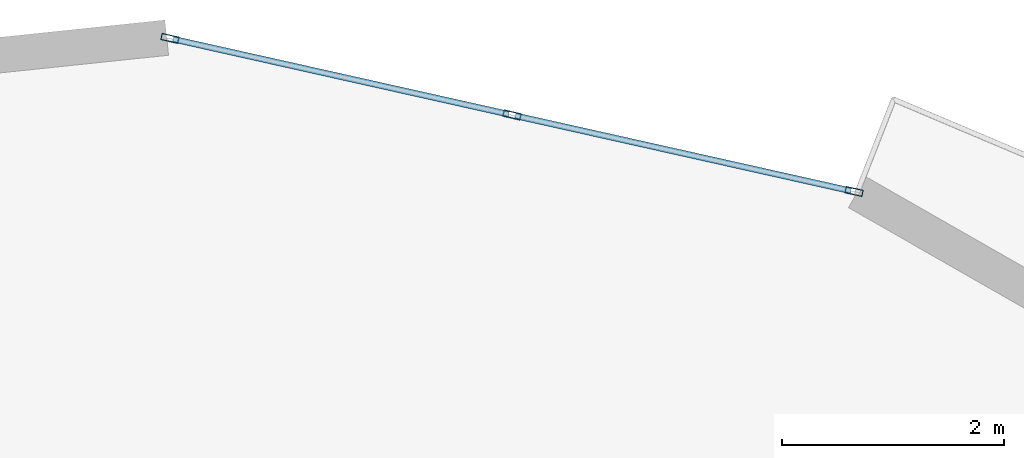
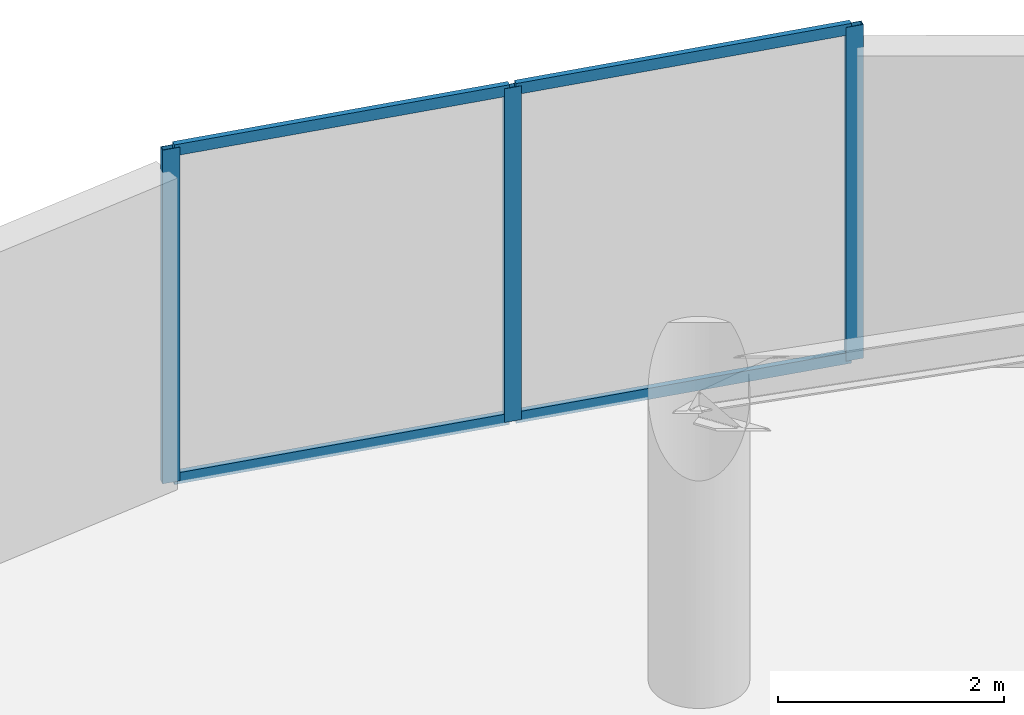
# One storey, part 16 of 23: 7 members, 1 element without a shape of its own.
"""IFC4 building model written with IfcOpenShell, lengths in metres."""

from ifc_helpers import new_model, si_unit, direction, frame, origin, origin_2d, place, context, subcontext, project, spatial, hollow_rectangle, extrude, source, transform, mapped, material, layer, layer_set, material_profile, profile_set, type_object, element, aggregate, save


model = new_model("IFC4")

# Units and contexts
model_context = context("Model", 3, precision=1e-05, world=origin(), true_north=direction((0.0, 1.0)))
body_context = subcontext(model_context, "Body", "Model", "MODEL_VIEW")
ifc_project = project(units=[si_unit("LENGTHUNIT", "METRE"), si_unit("AREAUNIT", "SQUARE_METRE"), si_unit("VOLUMEUNIT", "CUBIC_METRE"), si_unit("PLANEANGLEUNIT", "RADIAN"), si_unit("MASSUNIT", "GRAM", prefix="KILO")], contexts=[model_context])

# Site, building, storey
site_placement = place(None, origin())
site = spatial("IfcSite", under=ifc_project, at=site_placement, CompositionType="ELEMENT")
building_placement = place(site_placement, origin())
building = spatial("IfcBuilding", under=site, at=building_placement, Name="Solvirekh Grand Hotel", CompositionType="ELEMENT")
storey_placement = place(building_placement, frame((0.0, 0.0, 173.199951171875)))
storey = spatial("IfcBuildingStorey", under=building, at=storey_placement, Name="L44", CompositionType="ELEMENT", Elevation=173.199951171875)

# Curtain wall, members
ifc_material = material(Name="Anodized Bronze Aluminium 6063-T6", Category="aluminium")
ifc_layer = layer(ifc_material, 0.159912109375)
ifc_layer_set = layer_set([ifc_layer], Name="Anodized Bronze Aluminium 6063-T6")
curtain_wall_type = type_object("IfcCurtainWallType", Name="CW_Sys4_HighZoneFlushBronzeCW", PredefinedType="NOTDEFINED", material=ifc_layer_set)
curtain_wall_placement = place(storey_placement, origin())
curtain_wall = element("IfcCurtainWall", 1, at=curtain_wall_placement, inside=storey, type_object=curtain_wall_type, Name="L44 unitised bronze-glass curtain wall CW-L44-C08", PredefinedType="NOTDEFINED")
ifc_material_profile_1 = material_profile(ifc_material, hollow_rectangle(XDim=0.06005859375, YDim=0.159912109375, WallThickness=0.0048828125, at=origin_2d()), Name="ALU RHS 160X60X5")
ifc_profile_set_1 = profile_set([ifc_material_profile_1], Name="Anodized Bronze Aluminium 6063-T6")
member_type_1 = type_object("IfcMemberType", Name="CWMullion_Sys4", PredefinedType="MULLION", material=ifc_profile_set_1)
shared_shape_1 = source(origin(), body_context, "Body", "SweptSolid", [
    extrude(hollow_rectangle(XDim=0.06005859375, YDim=0.159912109375, WallThickness=0.0048828125, at=origin_2d()), origin(), (0.0, 0.0, 1.0), 3.60009765625),
])
member_1_placement = place(storey_placement, frame((3.66064453125, 19.404541015625, 0.0), z_axis=(0.0, 0.0, 1.0), x_axis=(-0.218487916144, -0.975839654092, 0.0)))
member_1 = element("IfcMember", 2, at=member_1_placement, type_object=member_type_1, Name="U04 mullion 1", PredefinedType="MULLION", context=body_context, shape_type="MappedRepresentation", body=[
    mapped(shared_shape_1, transform((0.0, 0.0, 0.0), x_axis=(1.0, 0.0, 0.0), y_axis=(0.0, 1.0, 0.0), z_axis=(0.0, 0.0, 1.0), scale=1.0)),
])
member_2_placement = place(storey_placement, frame((0.572509765625, 20.095947265625, 0.0), z_axis=(0.0, 0.0, 1.0), x_axis=(-0.218487916144, -0.975839654092, 0.0)))
member_2 = element("IfcMember", 3, at=member_2_placement, type_object=member_type_1, Name="U04 mullion 2", PredefinedType="MULLION", context=body_context, shape_type="MappedRepresentation", body=[
    mapped(shared_shape_1, transform((0.0, 0.0, 0.0), x_axis=(1.0, 0.0, 0.0), y_axis=(0.0, 1.0, 0.0), z_axis=(0.0, 0.0, 1.0), scale=1.0)),
])
member_3_placement = place(storey_placement, frame((-2.515625, 20.787353515625, 0.0), z_axis=(0.0, 0.0, 1.0), x_axis=(-0.218487916144, -0.975839654092, 0.0)))
member_3 = element("IfcMember", 4, at=member_3_placement, type_object=member_type_1, Name="U04 mullion 3", PredefinedType="MULLION", context=body_context, shape_type="MappedRepresentation", body=[
    mapped(shared_shape_1, transform((0.0, 0.0, 0.0), x_axis=(1.0, 0.0, 0.0), y_axis=(0.0, 1.0, 0.0), z_axis=(0.0, 0.0, 1.0), scale=1.0)),
])
ifc_material_profile_2 = material_profile(ifc_material, hollow_rectangle(XDim=0.054931640625, YDim=0.1201171875, WallThickness=0.00390625, at=origin_2d()), Name="ALU RHS 120X55X4")
ifc_profile_set_2 = profile_set([ifc_material_profile_2], Name="Anodized Bronze Aluminium 6063-T6")
member_type_2 = type_object("IfcMemberType", Name="CWTransom_Sys4", PredefinedType="USERDEFINED", material=ifc_profile_set_2)
shared_shape_2 = source(origin(), body_context, "Body", "SweptSolid", [
    extrude(hollow_rectangle(XDim=0.054931640625, YDim=0.1201171875, WallThickness=0.00390625, at=origin_2d()), origin(), (0.0, 0.0, 1.0), 3.1044921875),
])
member_4_placement = place(storey_placement, frame((3.63134765625, 19.4111328125, 0.027587890625), z_axis=(-0.975845392385, 0.218462285442, 0.0), x_axis=(-0.218462285442, -0.975845392385, 0.0)))
member_4 = element("IfcMember", 5, at=member_4_placement, type_object=member_type_2, Name="U04 transom 1.1", ObjectType="TRANSOM", PredefinedType="USERDEFINED", context=body_context, shape_type="MappedRepresentation", body=[
    mapped(shared_shape_2, transform((0.0, 0.0, 0.0), x_axis=(1.0, 0.0, 0.0), y_axis=(0.0, 1.0, 0.0), z_axis=(0.0, 0.0, 1.0), scale=1.0)),
])
member_5_placement = place(storey_placement, frame((3.63134765625, 19.4111328125, 3.572509765625), z_axis=(-0.975845392385, 0.218462285442, 0.0), x_axis=(-0.218462285442, -0.975845392385, 0.0)))
member_5 = element("IfcMember", 6, at=member_5_placement, type_object=member_type_2, Name="U04 transom 1.2", ObjectType="TRANSOM", PredefinedType="USERDEFINED", context=body_context, shape_type="MappedRepresentation", body=[
    mapped(shared_shape_2, transform((0.0, 0.0, 0.0), x_axis=(1.0, 0.0, 0.0), y_axis=(0.0, 1.0, 0.0), z_axis=(0.0, 0.0, 1.0), scale=1.0)),
])
member_6_placement = place(storey_placement, frame((0.543212890625, 20.1025390625, 0.027587890625), z_axis=(-0.975828624871, 0.218537170482, 0.0), x_axis=(-0.218537170482, -0.975828624871, 0.0)))
member_6 = element("IfcMember", 7, at=member_6_placement, type_object=member_type_2, Name="U04 transom 2.1", ObjectType="TRANSOM", PredefinedType="USERDEFINED", context=body_context, shape_type="MappedRepresentation", body=[
    mapped(shared_shape_2, transform((0.0, 0.0, 0.0), x_axis=(1.0, 0.0, 0.0), y_axis=(0.0, 1.0, 0.0), z_axis=(0.0, 0.0, 1.0), scale=1.0)),
])
member_7_placement = place(storey_placement, frame((0.543212890625, 20.1025390625, 3.572509765625), z_axis=(-0.975828624871, 0.218537170482, 0.0), x_axis=(-0.218537170482, -0.975828624871, 0.0)))
member_7 = element("IfcMember", 8, at=member_7_placement, type_object=member_type_2, Name="U04 transom 2.2", ObjectType="TRANSOM", PredefinedType="USERDEFINED", context=body_context, shape_type="MappedRepresentation", body=[
    mapped(shared_shape_2, transform((0.0, 0.0, 0.0), x_axis=(1.0, 0.0, 0.0), y_axis=(0.0, 1.0, 0.0), z_axis=(0.0, 0.0, 1.0), scale=1.0)),
])
aggregate(curtain_wall, [member_1, member_2, member_3, member_4, member_5, member_6, member_7])

save(model, "model.ifc")
